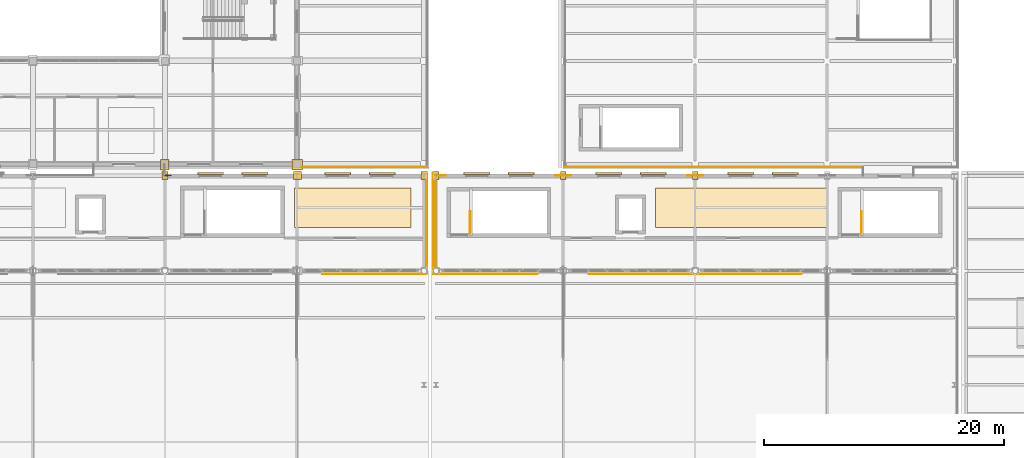
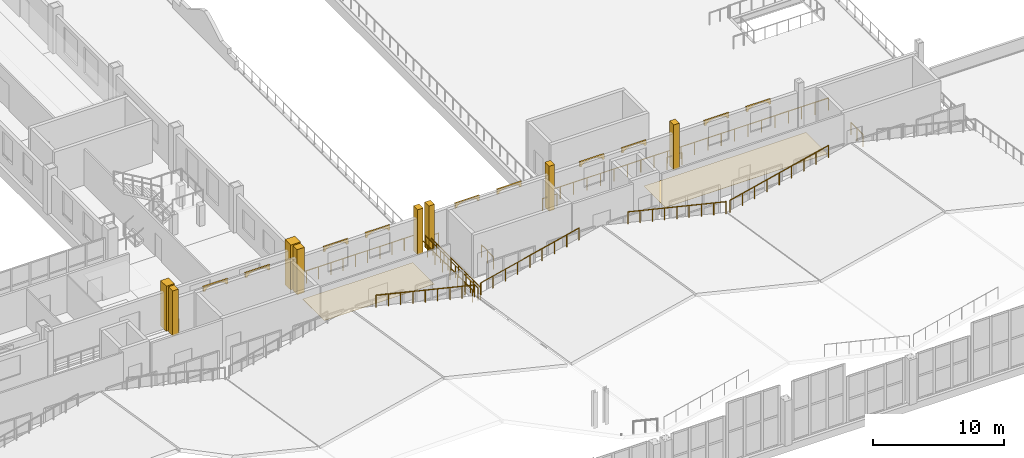
# One storey, part 108 of 120: 20 coverings, 15 railings.
"""IFC4 building model written with IfcOpenShell, lengths in metres."""

from ifc_helpers import new_model, si_unit, direction, frame, origin, origin_2d, place, context, subcontext, project, spatial, polyline, rectangle, circle, outline, extrude, material, layer, layer_set, type_object, element, save


model = new_model("IFC4")

# Units and contexts
model_context = context("Model", 3, precision=1e-05, world=origin(), true_north=direction((0.0, 1.0)))
body_context = subcontext(model_context, "Body", "Model", "MODEL_VIEW")
ifc_project = project(units=[si_unit("LENGTHUNIT", "METRE"), si_unit("AREAUNIT", "SQUARE_METRE"), si_unit("VOLUMEUNIT", "CUBIC_METRE"), si_unit("PLANEANGLEUNIT", "RADIAN"), si_unit("MASSUNIT", "GRAM", prefix="KILO")], contexts=[model_context])

# Site, building, storey
site_placement = place(None, origin())
site = spatial("IfcSite", under=ifc_project, at=site_placement, CompositionType="ELEMENT")
building_placement = place(site_placement, origin())
building = spatial("IfcBuilding", under=site, at=building_placement, Name="Caurita Quay Ferry Terminal", CompositionType="ELEMENT")
storey_placement = place(building_placement, frame((0.0, 0.0, 9.89990234375)))
storey = spatial("IfcBuildingStorey", under=building, at=storey_placement, Name="L02", CompositionType="ELEMENT", Elevation=9.89990234375)

# Coverings
ifc_material_1 = material(Name="Polished marine terrazzo tile", Category="finish")
ifc_layer_1 = layer(ifc_material_1, 0.02490234375, Name="Polished marine terrazzo floor finish 25 mm")
ifc_layer_set_1 = layer_set([ifc_layer_1], Name="Polished marine terrazzo tile")
covering_type_1 = type_object("IfcCoveringType", Name="COV-FLR-025", PredefinedType="FLOORING", material=ifc_layer_set_1)
covering_1_placement = place(storey_placement, origin())
element("IfcCovering", 1, at=covering_1_placement, inside=storey, type_object=covering_type_1, Name="Priority Lounge Dining Bar Terrazzo Flooring", PredefinedType="FLOORING", context=body_context, shape_type="SweptSolid", body=[
    extrude(outline(polyline([(76.800048828125, 66.300048828125), (86.5, 66.300048828125), (86.5, 69.60009765625), (76.800048828125, 69.60009765625), (76.800048828125, 66.300048828125)])), origin(), (0.0, 0.0, 1.0), 0.025146484375),
])
covering_2_placement = place(storey_placement, origin())
element("IfcCovering", 2, at=covering_2_placement, inside=storey, type_object=covering_type_1, Name="Port Health and Quarantine Medical Suite Terrazzo Flooring", PredefinedType="FLOORING", context=body_context, shape_type="SweptSolid", body=[
    extrude(outline(polyline([(106.89990234375, 66.300048828125), (121.199951171875, 66.300048828125), (121.199951171875, 69.60009765625), (106.89990234375, 69.60009765625), (106.89990234375, 66.300048828125)])), origin(), (0.0, 0.0, 1.0), 0.025146484375),
])
ifc_material_2 = material(Name="Warm-white lime stucco masonry", Category="masonry")
ifc_layer_2 = layer(ifc_material_2, 0.179931640625, Name="Classical engaged lime-stucco facade pilaster cladding 180 mm")
ifc_layer_set_2 = layer_set([ifc_layer_2], Name="Warm-white lime stucco masonry")
covering_type_2 = type_object("IfcCoveringType", Name="COV-PIL-CLD", PredefinedType="CLADDING", material=ifc_layer_set_2)
covering_3_placement = place(storey_placement, frame((66.0, 70.64990234375, 0.0), z_axis=(0.0, 0.0, 1.0), x_axis=(1.0, 0.0, 0.0)))
element("IfcCovering", 3, at=covering_3_placement, inside=storey, type_object=covering_type_2, Name="L02 Classical Engaged Pilaster 0060", PredefinedType="CLADDING", context=body_context, shape_type="SweptSolid", body=[
    extrude(rectangle(XDim=0.49072265625, YDim=0.643310546875, at=origin_2d()), origin(), (0.0, 0.0, 1.0), 4.199951171875),
])
covering_4_placement = place(storey_placement, frame((77.050048828125, 70.64990234375, 0.0), z_axis=(0.0, 0.0, 1.0), x_axis=(1.0, 0.0, 0.0)))
element("IfcCovering", 4, at=covering_4_placement, inside=storey, type_object=covering_type_2, Name="L02 Classical Engaged Pilaster 0068", PredefinedType="CLADDING", context=body_context, shape_type="SweptSolid", body=[
    extrude(rectangle(XDim=0.65087890625, YDim=0.643310546875, at=origin_2d()), origin(), (0.0, 0.0, 1.0), 4.199951171875),
])
covering_5_placement = place(storey_placement, frame((87.60009765625, 70.64990234375, 0.0), z_axis=(0.0, 0.0, 1.0), x_axis=(1.0, 0.0, 0.0)))
element("IfcCovering", 5, at=covering_5_placement, inside=storey, type_object=covering_type_2, Name="L02 Classical Engaged Pilaster 0081", PredefinedType="CLADDING", context=body_context, shape_type="SweptSolid", body=[
    extrude(rectangle(XDim=0.49072265625, YDim=0.643310546875, at=origin_2d()), origin(), (0.0, 0.0, 1.0), 4.199951171875),
])
for number, where, z_axis, x_axis, name in (
    (6, (88.60009765625, 70.64990234375, 0.0), (0.0, 0.0, 1.0), (1.0, 0.0, 0.0), "L02 Classical Engaged Pilaster 0088"),
    (7, (99.199951171875, 70.64990234375, 0.0), (0.0, 0.0, 1.0), (1.0, 0.0, 0.0), "L02 Classical Engaged Pilaster 0095"),
    (8, (110.199951171875, 70.64990234375, 0.0), (0.0, 0.0, 1.0), (1.0, 0.0, 0.0), "L02 Classical Engaged Pilaster 0102"),
):
    element("IfcCovering", number, at=place(storey_placement, frame(where, z_axis=z_axis, x_axis=x_axis)), inside=storey, type_object=covering_type_2, Name=name, PredefinedType="CLADDING", context=body_context, shape_type="SweptSolid", body=[
        extrude(rectangle(XDim=0.488037109375, YDim=0.635986328125, at=origin_2d()), origin(), (0.0, 0.0, 1.0), 4.199951171875),
    ])
covering_6_placement = place(storey_placement, frame((66.0, 71.550048828125, 0.0), z_axis=(0.0, 0.0, 1.0), x_axis=(1.0, 0.0, 0.0)))
element("IfcCovering", 9, at=covering_6_placement, inside=storey, type_object=covering_type_2, Name="L02 Classical Engaged Pilaster 0370", PredefinedType="CLADDING", context=body_context, shape_type="SweptSolid", body=[
    extrude(rectangle(XDim=0.719970703125, YDim=0.8798828125, at=origin_2d()), origin(), (0.0, 0.0, 1.0), 4.199951171875),
])
covering_7_placement = place(storey_placement, frame((77.050048828125, 71.550048828125, 0.0), z_axis=(0.0, 0.0, 1.0), x_axis=(1.0, 0.0, 0.0)))
element("IfcCovering", 10, at=covering_7_placement, inside=storey, type_object=covering_type_2, Name="L02 Classical Engaged Pilaster 0386", PredefinedType="CLADDING", context=body_context, shape_type="SweptSolid", body=[
    extrude(rectangle(XDim=0.8798828125, YDim=0.8798828125, at=origin_2d()), origin(), (0.0, 0.0, 1.0), 4.199951171875),
])
ifc_material_3 = material(Name="Coral stone ashlar cladding", Category="masonry")
ifc_layer_3 = layer(ifc_material_3, 0.139892578125, Name="Spanish Colonial semicircular arched window surround 140 mm")
ifc_layer_set_3 = layer_set([ifc_layer_3], Name="Coral stone ashlar cladding")
covering_type_3 = type_object("IfcCoveringType", Name="COV-WHD-MLD", PredefinedType="MOLDING", material=ifc_layer_set_3)
covering_8_placement = place(storey_placement, frame((74.580078125, 70.81494140625, 2.830078125), z_axis=(0.0, 0.0, 1.0), x_axis=(-1.0, 0.0, 0.0)))
element("IfcCovering", 11, at=covering_8_placement, inside=storey, type_object=covering_type_3, Name="L02 Arched Window Surround 169", PredefinedType="MOLDING", context=body_context, shape_type="SweptSolid", body=[
    extrude(outline(polyline([(0.0, 0.0), (0.159912109375, 0.0), (0.159912109375, 0.0400390625), (0.205078125, 0.142578125), (0.335693359375, 0.235107421875), (0.539306640625, 0.30859375), (0.795654296875, 0.355712890625), (1.080078125, 0.3720703125), (1.364501953125, 0.355712890625), (1.620849609375, 0.30859375), (1.824462890625, 0.235107421875), (1.955078125, 0.142578125), (2.000244140625, 0.0400390625), (2.000244140625, 0.0), (2.16015625, 0.0), (2.16015625, 0.451904296875), (0.0, 0.451904296875), (0.0, 0.0)])), frame((0.0, 0.06982421875, 0.0), z_axis=(0.0, -1.0, 0.0), x_axis=(1.0, 0.0, 0.0)), (0.0, 0.0, 1.0), 0.139892578125),
])
for number, where, z_axis, x_axis, name in (
    (12, (70.8798828125, 70.81494140625, 2.830078125), (0.0, 0.0, 1.0), (-1.0, 0.0, 0.0), "L02 Arched Window Surround 170"),
    (13, (85.179931640625, 70.81494140625, 2.830078125), (0.0, 0.0, 1.0), (-1.0, 0.0, 0.0), "L02 Arched Window Surround 171"),
):
    element("IfcCovering", number, at=place(storey_placement, frame(where, z_axis=z_axis, x_axis=x_axis)), inside=storey, type_object=covering_type_3, Name=name, PredefinedType="MOLDING", context=body_context, shape_type="SweptSolid", body=[
        extrude(outline(polyline([(0.0, 0.0), (0.159912109375, 0.0), (0.159912109375, 0.0400390625), (0.205078125, 0.142578125), (0.335693359375, 0.235107421875), (0.539306640625, 0.30859375), (0.795654296875, 0.355712890625), (1.080078125, 0.3720703125), (1.3642578125, 0.355712890625), (1.62060546875, 0.30859375), (1.82421875, 0.235107421875), (1.954833984375, 0.142578125), (2.0, 0.0400390625), (2.0, 0.0), (2.159912109375, 0.0), (2.159912109375, 0.451904296875), (0.0, 0.451904296875), (0.0, 0.0)])), frame((0.0, 0.06982421875, 0.0), z_axis=(0.0, -1.0, 0.0), x_axis=(1.0, 0.0, 0.0)), (0.0, 0.0, 1.0), 0.139892578125),
    ])
covering_9_placement = place(storey_placement, frame((81.47998046875, 70.81494140625, 2.830078125), z_axis=(0.0, 0.0, 1.0), x_axis=(-1.0, 0.0, 0.0)))
element("IfcCovering", 14, at=covering_9_placement, inside=storey, type_object=covering_type_3, Name="L02 Arched Window Surround 172", PredefinedType="MOLDING", context=body_context, shape_type="SweptSolid", body=[
    extrude(outline(polyline([(0.0, 0.0), (0.159912109375, 0.0), (0.159912109375, 0.0400390625), (0.205078125, 0.142578125), (0.335693359375, 0.235107421875), (0.539306640625, 0.30859375), (0.795654296875, 0.355712890625), (1.080078125, 0.3720703125), (1.364501953125, 0.355712890625), (1.620849609375, 0.30859375), (1.824462890625, 0.235107421875), (1.955078125, 0.142578125), (2.000244140625, 0.0400390625), (2.000244140625, 0.0), (2.16015625, 0.0), (2.16015625, 0.451904296875), (0.0, 0.451904296875), (0.0, 0.0)])), frame((0.0, 0.06982421875, 0.0), z_axis=(0.0, -1.0, 0.0), x_axis=(1.0, 0.0, 0.0)), (0.0, 0.0, 1.0), 0.139892578125),
])
covering_10_placement = place(storey_placement, frame((96.780029296875, 70.81494140625, 2.830078125), z_axis=(0.0, 0.0, 1.0), x_axis=(-1.0, 0.0, 0.0)))
element("IfcCovering", 15, at=covering_10_placement, inside=storey, type_object=covering_type_3, Name="L02 Arched Window Surround 173", PredefinedType="MOLDING", context=body_context, shape_type="SweptSolid", body=[
    extrude(outline(polyline([(0.0, 0.0), (0.159912109375, 0.0), (0.159912109375, 0.0400390625), (0.205078125, 0.142578125), (0.335693359375, 0.235107421875), (0.539306640625, 0.30859375), (0.795654296875, 0.355712890625), (1.080078125, 0.3720703125), (1.3642578125, 0.355712890625), (1.62060546875, 0.30859375), (1.82421875, 0.235107421875), (1.954833984375, 0.142578125), (2.0, 0.0400390625), (2.0, 0.0), (2.159912109375, 0.0), (2.159912109375, 0.451904296875), (0.0, 0.451904296875), (0.0, 0.0)])), frame((0.0, 0.06982421875, 0.0), z_axis=(0.0, -1.0, 0.0), x_axis=(1.0, 0.0, 0.0)), (0.0, 0.0, 1.0), 0.139892578125),
])
covering_11_placement = place(storey_placement, frame((93.080078125, 70.81494140625, 2.830078125), z_axis=(0.0, 0.0, 1.0), x_axis=(-1.0, 0.0, 0.0)))
element("IfcCovering", 16, at=covering_11_placement, inside=storey, type_object=covering_type_3, Name="L02 Arched Window Surround 174", PredefinedType="MOLDING", context=body_context, shape_type="SweptSolid", body=[
    extrude(outline(polyline([(0.0, 0.0), (0.159912109375, 0.0), (0.159912109375, 0.0400390625), (0.205078125, 0.142578125), (0.335693359375, 0.235107421875), (0.539306640625, 0.30859375), (0.795654296875, 0.355712890625), (1.080078125, 0.3720703125), (1.364501953125, 0.355712890625), (1.620849609375, 0.30859375), (1.824462890625, 0.235107421875), (1.955078125, 0.142578125), (2.000244140625, 0.0400390625), (2.000244140625, 0.0), (2.16015625, 0.0), (2.16015625, 0.451904296875), (0.0, 0.451904296875), (0.0, 0.0)])), frame((0.0, 0.06982421875, 0.0), z_axis=(0.0, -1.0, 0.0), x_axis=(1.0, 0.0, 0.0)), (0.0, 0.0, 1.0), 0.139892578125),
])
covering_12_placement = place(storey_placement, frame((107.780029296875, 70.81494140625, 2.830078125), z_axis=(0.0, 0.0, 1.0), x_axis=(-1.0, 0.0, 0.0)))
element("IfcCovering", 17, at=covering_12_placement, inside=storey, type_object=covering_type_3, Name="L02 Arched Window Surround 175", PredefinedType="MOLDING", context=body_context, shape_type="SweptSolid", body=[
    extrude(outline(polyline([(0.0, 0.0), (0.159912109375, 0.0), (0.159912109375, 0.0400390625), (0.205078125, 0.142578125), (0.335693359375, 0.235107421875), (0.539306640625, 0.30859375), (0.795654296875, 0.355712890625), (1.080078125, 0.3720703125), (1.3642578125, 0.355712890625), (1.62060546875, 0.30859375), (1.82421875, 0.235107421875), (1.954833984375, 0.142578125), (2.0, 0.0400390625), (2.0, 0.0), (2.159912109375, 0.0), (2.159912109375, 0.451904296875), (0.0, 0.451904296875), (0.0, 0.0)])), frame((0.0, 0.06982421875, 0.0), z_axis=(0.0, -1.0, 0.0), x_axis=(1.0, 0.0, 0.0)), (0.0, 0.0, 1.0), 0.139892578125),
])
covering_13_placement = place(storey_placement, frame((104.080078125, 70.81494140625, 2.830078125), z_axis=(0.0, 0.0, 1.0), x_axis=(-1.0, 0.0, 0.0)))
element("IfcCovering", 18, at=covering_13_placement, inside=storey, type_object=covering_type_3, Name="L02 Arched Window Surround 176", PredefinedType="MOLDING", context=body_context, shape_type="SweptSolid", body=[
    extrude(outline(polyline([(0.0, 0.0), (0.159912109375, 0.0), (0.159912109375, 0.0400390625), (0.205078125, 0.142578125), (0.335693359375, 0.235107421875), (0.539306640625, 0.30859375), (0.795654296875, 0.355712890625), (1.080078125, 0.3720703125), (1.364501953125, 0.355712890625), (1.620849609375, 0.30859375), (1.824462890625, 0.235107421875), (1.955078125, 0.142578125), (2.000244140625, 0.0400390625), (2.000244140625, 0.0), (2.16015625, 0.0), (2.16015625, 0.451904296875), (0.0, 0.451904296875), (0.0, 0.0)])), frame((0.0, 0.06982421875, 0.0), z_axis=(0.0, -1.0, 0.0), x_axis=(1.0, 0.0, 0.0)), (0.0, 0.0, 1.0), 0.139892578125),
])
covering_14_placement = place(storey_placement, frame((118.780029296875, 70.81494140625, 2.830078125), z_axis=(0.0, 0.0, 1.0), x_axis=(-1.0, 0.0, 0.0)))
element("IfcCovering", 19, at=covering_14_placement, inside=storey, type_object=covering_type_3, Name="L02 Arched Window Surround 177", PredefinedType="MOLDING", context=body_context, shape_type="SweptSolid", body=[
    extrude(outline(polyline([(0.0, 0.0), (0.159912109375, 0.0), (0.159912109375, 0.0400390625), (0.205078125, 0.142578125), (0.335693359375, 0.235107421875), (0.539306640625, 0.30859375), (0.795654296875, 0.355712890625), (1.080078125, 0.3720703125), (1.3642578125, 0.355712890625), (1.62060546875, 0.30859375), (1.82421875, 0.235107421875), (1.954833984375, 0.142578125), (2.0, 0.0400390625), (2.0, 0.0), (2.159912109375, 0.0), (2.159912109375, 0.451904296875), (0.0, 0.451904296875), (0.0, 0.0)])), frame((0.0, 0.06982421875, 0.0), z_axis=(0.0, -1.0, 0.0), x_axis=(1.0, 0.0, 0.0)), (0.0, 0.0, 1.0), 0.139892578125),
])
covering_15_placement = place(storey_placement, frame((115.080078125, 70.81494140625, 2.830078125), z_axis=(0.0, 0.0, 1.0), x_axis=(-1.0, 0.0, 0.0)))
element("IfcCovering", 20, at=covering_15_placement, inside=storey, type_object=covering_type_3, Name="L02 Arched Window Surround 178", PredefinedType="MOLDING", context=body_context, shape_type="SweptSolid", body=[
    extrude(outline(polyline([(0.0, 0.0), (0.159912109375, 0.0), (0.159912109375, 0.0400390625), (0.205078125, 0.142578125), (0.335693359375, 0.235107421875), (0.539306640625, 0.30859375), (0.795654296875, 0.355712890625), (1.080078125, 0.3720703125), (1.364501953125, 0.355712890625), (1.620849609375, 0.30859375), (1.824462890625, 0.235107421875), (1.955078125, 0.142578125), (2.000244140625, 0.0400390625), (2.000244140625, 0.0), (2.16015625, 0.0), (2.16015625, 0.451904296875), (0.0, 0.451904296875), (0.0, 0.0)])), frame((0.0, 0.06982421875, 0.0), z_axis=(0.0, -1.0, 0.0), x_axis=(1.0, 0.0, 0.0)), (0.0, 0.0, 1.0), 0.139892578125),
])

# Railings
ifc_material_4 = material(Name="Bronze architectural metalwork", Category="metal")
railing_type = type_object("IfcRailingType", Name="RL-REJA-115", PredefinedType="BALUSTRADE", material=ifc_material_4)
railing_1_placement = place(storey_placement, frame((124.199951171875, 71.35009765625, 0.0)))
element("IfcRailing", 21, at=railing_1_placement, inside=storey, type_object=railing_type, Name="Upper Roof Garden Balustrade (033)", PredefinedType="BALUSTRADE", context=body_context, shape_type="SweptSolid", body=[
    extrude(circle(Radius=0.02392578125, at=origin_2d()), frame((0.0, 0.0, 1.1259765625), z_axis=(-1.0, 0.0, 0.0), x_axis=(0.0, -1.0, 0.0)), (0.0, 0.0, 1.0), 24.849853515625),
    extrude(circle(Radius=0.02099609375, at=origin_2d()), origin(), (0.0, 0.0, 1.0), 1.101806640625),
    extrude(circle(Radius=0.02099609375, at=origin_2d()), frame((-1.183349609375, 0.0, 0.0)), (0.0, 0.0, 1.0), 1.101806640625),
    extrude(circle(Radius=0.02099609375, at=origin_2d()), frame((-2.36669921875, 0.0, 0.0)), (0.0, 0.0, 1.0), 1.101806640625),
    extrude(circle(Radius=0.02099609375, at=origin_2d()), frame((-3.550048828125, 0.0, 0.0)), (0.0, 0.0, 1.0), 1.101806640625),
    extrude(circle(Radius=0.02099609375, at=origin_2d()), frame((-4.7333984375, 0.0, 0.0)), (0.0, 0.0, 1.0), 1.101806640625),
    extrude(circle(Radius=0.02099609375, at=origin_2d()), frame((-5.916748046875, 0.0, 0.0)), (0.0, 0.0, 1.0), 1.101806640625),
    extrude(circle(Radius=0.02099609375, at=origin_2d()), frame((-7.099853515625, 0.0, 0.0)), (0.0, 0.0, 1.0), 1.101806640625),
    extrude(circle(Radius=0.02099609375, at=origin_2d()), frame((-8.283203125, 0.0, 0.0)), (0.0, 0.0, 1.0), 1.101806640625),
    extrude(circle(Radius=0.02099609375, at=origin_2d()), frame((-9.466552734375, 0.0, 0.0)), (0.0, 0.0, 1.0), 1.101806640625),
    extrude(circle(Radius=0.02099609375, at=origin_2d()), frame((-10.64990234375, 0.0, 0.0)), (0.0, 0.0, 1.0), 1.101806640625),
    extrude(circle(Radius=0.02099609375, at=origin_2d()), frame((-11.833251953125, 0.0, 0.0)), (0.0, 0.0, 1.0), 1.101806640625),
    extrude(circle(Radius=0.02099609375, at=origin_2d()), frame((-13.0166015625, 0.0, 0.0)), (0.0, 0.0, 1.0), 1.101806640625),
    extrude(circle(Radius=0.02099609375, at=origin_2d()), frame((-14.199951171875, 0.0, 0.0)), (0.0, 0.0, 1.0), 1.101806640625),
    extrude(circle(Radius=0.02099609375, at=origin_2d()), frame((-15.38330078125, 0.0, 0.0)), (0.0, 0.0, 1.0), 1.101806640625),
    extrude(circle(Radius=0.02099609375, at=origin_2d()), frame((-16.566650390625, 0.0, 0.0)), (0.0, 0.0, 1.0), 1.101806640625),
    extrude(circle(Radius=0.02099609375, at=origin_2d()), frame((-17.75, 0.0, 0.0)), (0.0, 0.0, 1.0), 1.101806640625),
    extrude(circle(Radius=0.02099609375, at=origin_2d()), frame((-18.93310546875, 0.0, 0.0)), (0.0, 0.0, 1.0), 1.101806640625),
    extrude(circle(Radius=0.02099609375, at=origin_2d()), frame((-20.116455078125, 0.0, 0.0)), (0.0, 0.0, 1.0), 1.101806640625),
    extrude(circle(Radius=0.02099609375, at=origin_2d()), frame((-21.2998046875, 0.0, 0.0)), (0.0, 0.0, 1.0), 1.101806640625),
    extrude(circle(Radius=0.02099609375, at=origin_2d()), frame((-22.483154296875, 0.0, 0.0)), (0.0, 0.0, 1.0), 1.101806640625),
    extrude(circle(Radius=0.02099609375, at=origin_2d()), frame((-23.66650390625, 0.0, 0.0)), (0.0, 0.0, 1.0), 1.101806640625),
    extrude(circle(Radius=0.02099609375, at=origin_2d()), frame((-24.849853515625, 0.0, 0.0)), (0.0, 0.0, 1.0), 1.101806640625),
])
railing_2_placement = place(storey_placement, frame((65.949951171875, 70.64990234375, 0.0)))
element("IfcRailing", 22, at=railing_2_placement, inside=storey, type_object=railing_type, Name="L02 North East Link Bridge East Guard (056)", PredefinedType="BALUSTRADE", context=body_context, shape_type="SweptSolid", body=[
    extrude(circle(Radius=0.02392578125, at=origin_2d()), frame((0.0, 0.0, 1.1259765625), z_axis=(1.0, 0.0, 0.0), x_axis=(0.0, 1.0, 0.0)), (0.0, 0.0, 1.0), 0.550048828125),
    extrude(circle(Radius=0.02099609375, at=origin_2d()), origin(), (0.0, 0.0, 1.0), 1.101806640625),
    extrude(circle(Radius=0.02099609375, at=origin_2d()), frame((0.550048828125, 0.0, 0.0)), (0.0, 0.0, 1.0), 1.101806640625),
])
railing_3_placement = place(storey_placement, frame((77.050048828125, 71.35009765625, 0.0)))
element("IfcRailing", 23, at=railing_3_placement, inside=storey, type_object=railing_type, Name="L02 Colonial Terrace Balustrade (065)", PredefinedType="BALUSTRADE", context=body_context, shape_type="SweptSolid", body=[
    extrude(circle(Radius=0.02392578125, at=origin_2d()), frame((0.0, 0.0, 1.1259765625), z_axis=(1.0, 0.0, 0.0), x_axis=(0.0, 1.0, 0.0)), (0.0, 0.0, 1.0), 10.800048828125),
    extrude(circle(Radius=0.02099609375, at=origin_2d()), origin(), (0.0, 0.0, 1.0), 1.101806640625),
    extrude(circle(Radius=0.02099609375, at=origin_2d()), frame((1.080078125, 0.0, 0.0)), (0.0, 0.0, 1.0), 1.101806640625),
    extrude(circle(Radius=0.02099609375, at=origin_2d()), frame((2.159912109375, 0.0, 0.0)), (0.0, 0.0, 1.0), 1.101806640625),
    extrude(circle(Radius=0.02099609375, at=origin_2d()), frame((3.239990234375, 0.0, 0.0)), (0.0, 0.0, 1.0), 1.101806640625),
    extrude(circle(Radius=0.02099609375, at=origin_2d()), frame((4.320068359375, 0.0, 0.0)), (0.0, 0.0, 1.0), 1.101806640625),
    extrude(circle(Radius=0.02099609375, at=origin_2d()), frame((5.39990234375, 0.0, 0.0)), (0.0, 0.0, 1.0), 1.101806640625),
    extrude(circle(Radius=0.02099609375, at=origin_2d()), frame((6.47998046875, 0.0, 0.0)), (0.0, 0.0, 1.0), 1.101806640625),
    extrude(circle(Radius=0.02099609375, at=origin_2d()), frame((7.56005859375, 0.0, 0.0)), (0.0, 0.0, 1.0), 1.101806640625),
    extrude(circle(Radius=0.02099609375, at=origin_2d()), frame((8.64013671875, 0.0, 0.0)), (0.0, 0.0, 1.0), 1.101806640625),
    extrude(circle(Radius=0.02099609375, at=origin_2d()), frame((9.719970703125, 0.0, 0.0)), (0.0, 0.0, 1.0), 1.101806640625),
    extrude(circle(Radius=0.02099609375, at=origin_2d()), frame((10.800048828125, 0.0, 0.0)), (0.0, 0.0, 1.0), 1.101806640625),
])
for number, where, name in (
    (24, (87.85009765625, 62.800048828125, 0.0), "L02 Mezzanine End Guard (079)"),
    (25, (88.35009765625, 62.800048828125, 0.0), "L02 Mezzanine End Guard (080)"),
):
    element("IfcRailing", number, at=place(storey_placement, frame(where)), inside=storey, type_object=railing_type, Name=name, PredefinedType="BALUSTRADE", context=body_context, shape_type="SweptSolid", body=[
        extrude(circle(Radius=0.02392578125, at=origin_2d()), frame((0.0, 0.0, 1.1259765625), z_axis=(0.0, 1.0, 0.0), x_axis=(-1.0, 0.0, 0.0)), (0.0, 0.0, 1.0), 8.050048828125),
        extrude(circle(Radius=0.02099609375, at=origin_2d()), origin(), (0.0, 0.0, 1.0), 1.101806640625),
        extrude(circle(Radius=0.02099609375, at=origin_2d()), frame((0.0, 1.14990234375, 0.0)), (0.0, 0.0, 1.0), 1.101806640625),
        extrude(circle(Radius=0.02099609375, at=origin_2d()), frame((0.0, 2.300048828125, 0.0)), (0.0, 0.0, 1.0), 1.101806640625),
        extrude(circle(Radius=0.02099609375, at=origin_2d()), frame((0.0, 3.449951171875, 0.0)), (0.0, 0.0, 1.0), 1.101806640625),
        extrude(circle(Radius=0.02099609375, at=origin_2d()), frame((0.0, 4.60009765625, 0.0)), (0.0, 0.0, 1.0), 1.101806640625),
        extrude(circle(Radius=0.02099609375, at=origin_2d()), frame((0.0, 5.75, 0.0)), (0.0, 0.0, 1.0), 1.101806640625),
        extrude(circle(Radius=0.02099609375, at=origin_2d()), frame((0.0, 6.900146484375, 0.0)), (0.0, 0.0, 1.0), 1.101806640625),
        extrude(circle(Radius=0.02099609375, at=origin_2d()), frame((0.0, 8.050048828125, 0.0)), (0.0, 0.0, 1.0), 1.101806640625),
    ])
railing_4_placement = place(storey_placement, frame((89.39990234375, 70.64990234375, 0.0)))
element("IfcRailing", 26, at=railing_4_placement, inside=storey, type_object=railing_type, Name="L02 V2-MEZ NW Corner Guard (102)", PredefinedType="BALUSTRADE", context=body_context, shape_type="SweptSolid", body=[
    extrude(circle(Radius=0.02392578125, at=origin_2d()), frame((0.0, 0.0, 1.1259765625), z_axis=(-1.0, 0.0, 0.0), x_axis=(0.0, -1.0, 0.0)), (0.0, 0.0, 1.0), 0.849853515625),
    extrude(circle(Radius=0.02099609375, at=origin_2d()), origin(), (0.0, 0.0, 1.0), 1.101806640625),
    extrude(circle(Radius=0.02099609375, at=origin_2d()), frame((-0.849853515625, 0.0, 0.0)), (0.0, 0.0, 1.0), 1.101806640625),
])
railing_5_placement = place(storey_placement, frame((88.550048828125, 70.64990234375, 0.0)))
element("IfcRailing", 27, at=railing_5_placement, inside=storey, type_object=railing_type, Name="L02 V2-MEZ NW Corner Guard (103)", PredefinedType="BALUSTRADE", context=body_context, shape_type="SweptSolid", body=[
    extrude(circle(Radius=0.02392578125, at=origin_2d()), frame((0.0, 0.0, 1.1259765625), z_axis=(0.0, -1.0, 0.0), x_axis=(1.0, 0.0, 0.0)), (0.0, 0.0, 1.0), 7.89990234375),
    extrude(circle(Radius=0.02099609375, at=origin_2d()), origin(), (0.0, 0.0, 1.0), 1.101806640625),
    extrude(circle(Radius=0.02099609375, at=origin_2d()), frame((0.0, -1.128662109375, 0.0)), (0.0, 0.0, 1.0), 1.101806640625),
    extrude(circle(Radius=0.02099609375, at=origin_2d()), frame((0.0, -2.257080078125, 0.0)), (0.0, 0.0, 1.0), 1.101806640625),
    extrude(circle(Radius=0.02099609375, at=origin_2d()), frame((0.0, -3.3857421875, 0.0)), (0.0, 0.0, 1.0), 1.101806640625),
    extrude(circle(Radius=0.02099609375, at=origin_2d()), frame((0.0, -4.51416015625, 0.0)), (0.0, 0.0, 1.0), 1.101806640625),
    extrude(circle(Radius=0.02099609375, at=origin_2d()), frame((0.0, -5.642822265625, 0.0)), (0.0, 0.0, 1.0), 1.101806640625),
    extrude(circle(Radius=0.02099609375, at=origin_2d()), frame((0.0, -6.771240234375, 0.0)), (0.0, 0.0, 1.0), 1.101806640625),
    extrude(circle(Radius=0.02099609375, at=origin_2d()), frame((0.0, -7.89990234375, 0.0)), (0.0, 0.0, 1.0), 1.101806640625),
])
for number, where, name in (
    (28, (98.550048828125, 70.64990234375, 0.0), "L02 V2-MEZ Grid11 Pier Guard (106)"),
    (29, (109.550048828125, 70.64990234375, 0.0), "L02 V2-MEZ Grid12 Pier Guard (108)"),
):
    element("IfcRailing", number, at=place(storey_placement, frame(where)), inside=storey, type_object=railing_type, Name=name, PredefinedType="BALUSTRADE", context=body_context, shape_type="SweptSolid", body=[
        extrude(circle(Radius=0.02392578125, at=origin_2d()), frame((0.0, 0.0, 1.1259765625), z_axis=(1.0, 0.0, 0.0), x_axis=(0.0, 1.0, 0.0)), (0.0, 0.0, 1.0), 1.300048828125),
        extrude(circle(Radius=0.02099609375, at=origin_2d()), origin(), (0.0, 0.0, 1.0), 1.101806640625),
        extrude(circle(Radius=0.02099609375, at=origin_2d()), frame((0.64990234375, 0.0, 0.0)), (0.0, 0.0, 1.0), 1.101806640625),
        extrude(circle(Radius=0.02099609375, at=origin_2d()), frame((1.300048828125, 0.0, 0.0)), (0.0, 0.0, 1.0), 1.101806640625),
    ])
railing_6_placement = place(storey_placement, frame((79.14990234375, 62.449951171875, 2.76416015625)))
element("IfcRailing", 30, at=railing_6_placement, inside=storey, type_object=railing_type, Name="Folded Roof Bay 4 Landside Promenade Guard LE", PredefinedType="BALUSTRADE", context=body_context, shape_type="SweptSolid", body=[
    extrude(circle(Radius=0.02392578125, at=origin_2d()), frame((0.0, 0.0, 1.1259765625), z_axis=(0.972381833796, 0.0, -0.233395735401), x_axis=(0.0, 1.0, 0.0)), (0.0, 0.0, 1.0), 8.91650390625),
    extrude(circle(Radius=0.02099609375, at=origin_2d()), origin(), (0.0, 0.0, 1.0), 1.101806640625),
    extrude(circle(Radius=0.02099609375, at=origin_2d()), frame((1.083740234375, 0.0, -0.26025390625)), (0.0, 0.0, 1.0), 1.101806640625),
    extrude(circle(Radius=0.02099609375, at=origin_2d()), frame((2.16748046875, 0.0, -0.520263671875)), (0.0, 0.0, 1.0), 1.101806640625),
    extrude(circle(Radius=0.02099609375, at=origin_2d()), frame((3.251220703125, 0.0, -0.7802734375)), (0.0, 0.0, 1.0), 1.101806640625),
    extrude(circle(Radius=0.02099609375, at=origin_2d()), frame((4.3349609375, 0.0, -1.04052734375)), (0.0, 0.0, 1.0), 1.101806640625),
    extrude(circle(Radius=0.02099609375, at=origin_2d()), frame((5.4189453125, 0.0, -1.30078125)), (0.0, 0.0, 1.0), 1.101806640625),
    extrude(circle(Radius=0.02099609375, at=origin_2d()), frame((6.502685546875, 0.0, -1.560791015625)), (0.0, 0.0, 1.0), 1.101806640625),
    extrude(circle(Radius=0.02099609375, at=origin_2d()), frame((7.58642578125, 0.0, -1.82080078125)), (0.0, 0.0, 1.0), 1.101806640625),
    extrude(circle(Radius=0.02099609375, at=origin_2d()), frame((8.670166015625, 0.0, -2.0810546875)), (0.0, 0.0, 1.0), 1.101806640625),
])
railing_7_placement = place(storey_placement, frame((88.3798828125, 62.449951171875, 0.68310546875)))
element("IfcRailing", 31, at=railing_7_placement, inside=storey, type_object=railing_type, Name="Folded Roof Bay 5 Landside Promenade Guard LW", PredefinedType="BALUSTRADE", context=body_context, shape_type="SweptSolid", body=[
    extrude(circle(Radius=0.02392578125, at=origin_2d()), frame((0.0, 0.0, 1.1259765625), z_axis=(0.972381833796, 0.0, 0.233395735401), x_axis=(0.0, 1.0, 0.0)), (0.0, 0.0, 1.0), 8.91650390625),
    extrude(circle(Radius=0.02099609375, at=origin_2d()), origin(), (0.0, 0.0, 1.0), 1.101806640625),
    extrude(circle(Radius=0.02099609375, at=origin_2d()), frame((1.083740234375, 0.0, 0.26025390625)), (0.0, 0.0, 1.0), 1.101806640625),
    extrude(circle(Radius=0.02099609375, at=origin_2d()), frame((2.16748046875, 0.0, 0.520263671875)), (0.0, 0.0, 1.0), 1.101806640625),
    extrude(circle(Radius=0.02099609375, at=origin_2d()), frame((3.251220703125, 0.0, 0.7802734375)), (0.0, 0.0, 1.0), 1.101806640625),
    extrude(circle(Radius=0.02099609375, at=origin_2d()), frame((4.3349609375, 0.0, 1.04052734375)), (0.0, 0.0, 1.0), 1.101806640625),
    extrude(circle(Radius=0.02099609375, at=origin_2d()), frame((5.4189453125, 0.0, 1.30078125)), (0.0, 0.0, 1.0), 1.101806640625),
    extrude(circle(Radius=0.02099609375, at=origin_2d()), frame((6.502685546875, 0.0, 1.560791015625)), (0.0, 0.0, 1.0), 1.101806640625),
    extrude(circle(Radius=0.02099609375, at=origin_2d()), frame((7.58642578125, 0.0, 1.82080078125)), (0.0, 0.0, 1.0), 1.101806640625),
    extrude(circle(Radius=0.02099609375, at=origin_2d()), frame((8.670166015625, 0.0, 2.0810546875)), (0.0, 0.0, 1.0), 1.101806640625),
])
railing_8_placement = place(storey_placement, frame((101.35009765625, 62.449951171875, 2.76416015625)))
element("IfcRailing", 32, at=railing_8_placement, inside=storey, type_object=railing_type, Name="Folded Roof Bay 5 Landside Promenade Guard LE", PredefinedType="BALUSTRADE", context=body_context, shape_type="SweptSolid", body=[
    extrude(circle(Radius=0.02392578125, at=origin_2d()), frame((0.0, 0.0, 1.1259765625), z_axis=(0.972380342195, 0.0, -0.233401949675), x_axis=(0.0, 1.0, 0.0)), (0.0, 0.0, 1.0), 8.916259765625),
    extrude(circle(Radius=0.02099609375, at=origin_2d()), origin(), (0.0, 0.0, 1.0), 1.101806640625),
    extrude(circle(Radius=0.02099609375, at=origin_2d()), frame((1.083740234375, 0.0, -0.26025390625)), (0.0, 0.0, 1.0), 1.101806640625),
    extrude(circle(Radius=0.02099609375, at=origin_2d()), frame((2.16748046875, 0.0, -0.520263671875)), (0.0, 0.0, 1.0), 1.101806640625),
    extrude(circle(Radius=0.02099609375, at=origin_2d()), frame((3.251220703125, 0.0, -0.7802734375)), (0.0, 0.0, 1.0), 1.101806640625),
    extrude(circle(Radius=0.02099609375, at=origin_2d()), frame((4.3349609375, 0.0, -1.04052734375)), (0.0, 0.0, 1.0), 1.101806640625),
    extrude(circle(Radius=0.02099609375, at=origin_2d()), frame((5.418701171875, 0.0, -1.30078125)), (0.0, 0.0, 1.0), 1.101806640625),
    extrude(circle(Radius=0.02099609375, at=origin_2d()), frame((6.50244140625, 0.0, -1.560791015625)), (0.0, 0.0, 1.0), 1.101806640625),
    extrude(circle(Radius=0.02099609375, at=origin_2d()), frame((7.586181640625, 0.0, -1.82080078125)), (0.0, 0.0, 1.0), 1.101806640625),
    extrude(circle(Radius=0.02099609375, at=origin_2d()), frame((8.669921875, 0.0, -2.0810546875)), (0.0, 0.0, 1.0), 1.101806640625),
])
railing_9_placement = place(storey_placement, frame((110.3798828125, 62.449951171875, 0.68310546875)))
element("IfcRailing", 33, at=railing_9_placement, inside=storey, type_object=railing_type, Name="Folded Roof Bay 6 Landside Promenade Guard LW", PredefinedType="BALUSTRADE", context=body_context, shape_type="SweptSolid", body=[
    extrude(circle(Radius=0.02392578125, at=origin_2d()), frame((0.0, 0.0, 1.1259765625), z_axis=(0.972381833796, 0.0, 0.233395735401), x_axis=(0.0, 1.0, 0.0)), (0.0, 0.0, 1.0), 8.91650390625),
    extrude(circle(Radius=0.02099609375, at=origin_2d()), origin(), (0.0, 0.0, 1.0), 1.101806640625),
    extrude(circle(Radius=0.02099609375, at=origin_2d()), frame((1.083740234375, 0.0, 0.26025390625)), (0.0, 0.0, 1.0), 1.101806640625),
    extrude(circle(Radius=0.02099609375, at=origin_2d()), frame((2.16748046875, 0.0, 0.520263671875)), (0.0, 0.0, 1.0), 1.101806640625),
    extrude(circle(Radius=0.02099609375, at=origin_2d()), frame((3.251220703125, 0.0, 0.7802734375)), (0.0, 0.0, 1.0), 1.101806640625),
    extrude(circle(Radius=0.02099609375, at=origin_2d()), frame((4.3349609375, 0.0, 1.04052734375)), (0.0, 0.0, 1.0), 1.101806640625),
    extrude(circle(Radius=0.02099609375, at=origin_2d()), frame((5.4189453125, 0.0, 1.30078125)), (0.0, 0.0, 1.0), 1.101806640625),
    extrude(circle(Radius=0.02099609375, at=origin_2d()), frame((6.502685546875, 0.0, 1.560791015625)), (0.0, 0.0, 1.0), 1.101806640625),
    extrude(circle(Radius=0.02099609375, at=origin_2d()), frame((7.58642578125, 0.0, 1.82080078125)), (0.0, 0.0, 1.0), 1.101806640625),
    extrude(circle(Radius=0.02099609375, at=origin_2d()), frame((8.670166015625, 0.0, 2.0810546875)), (0.0, 0.0, 1.0), 1.101806640625),
])
for number, where, name in (
    (34, (91.449951171875, 65.800048828125, 0.0), "L02 ST-08 top well guard 1"),
    (35, (124.050048828125, 65.800048828125, 0.0), "L02 ST-09 top well guard 1"),
):
    element("IfcRailing", number, at=place(storey_placement, frame(where)), inside=storey, type_object=railing_type, Name=name, PredefinedType="BALUSTRADE", context=body_context, shape_type="SweptSolid", body=[
        extrude(circle(Radius=0.02392578125, at=origin_2d()), frame((0.0, 0.0, 1.1259765625), z_axis=(0.0, 1.0, 0.0), x_axis=(-1.0, 0.0, 0.0)), (0.0, 0.0, 1.0), 1.85986328125),
        extrude(circle(Radius=0.02099609375, at=origin_2d()), origin(), (0.0, 0.0, 1.0), 1.101806640625),
        extrude(circle(Radius=0.02099609375, at=origin_2d()), frame((0.0, 0.929931640625, 0.0)), (0.0, 0.0, 1.0), 1.101806640625),
        extrude(circle(Radius=0.02099609375, at=origin_2d()), frame((0.0, 1.85986328125, 0.0)), (0.0, 0.0, 1.0), 1.101806640625),
    ])

save(model, "model.ifc")
